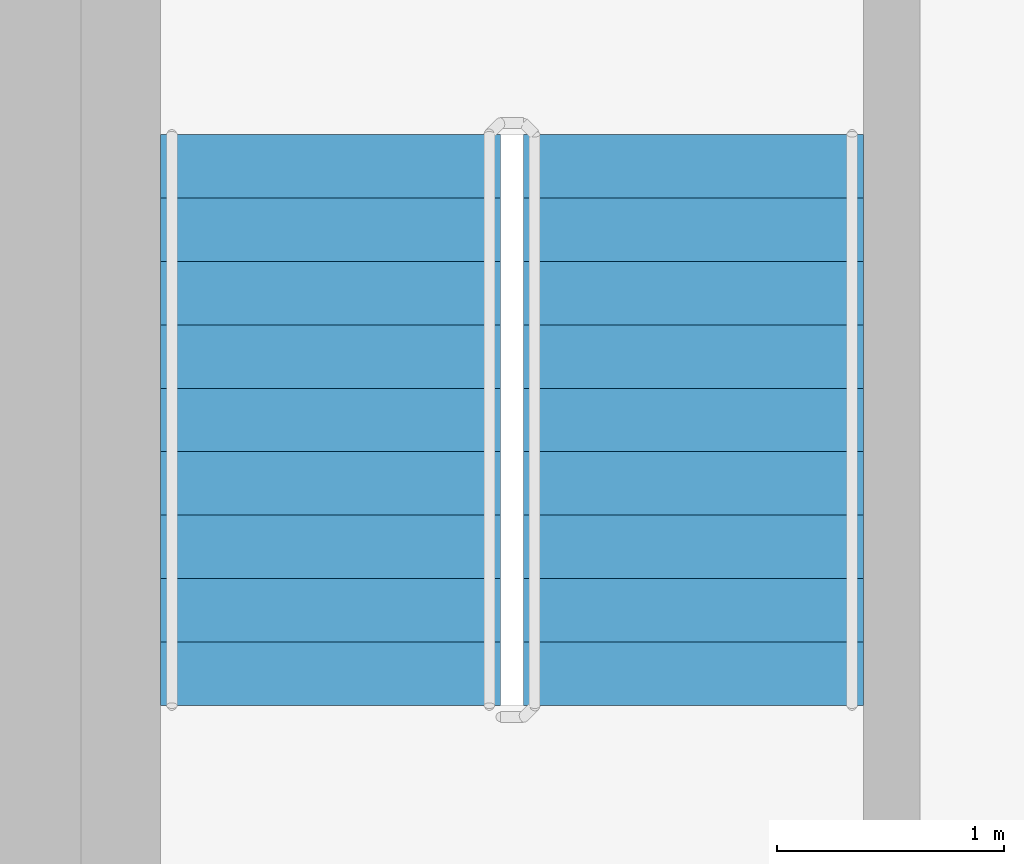
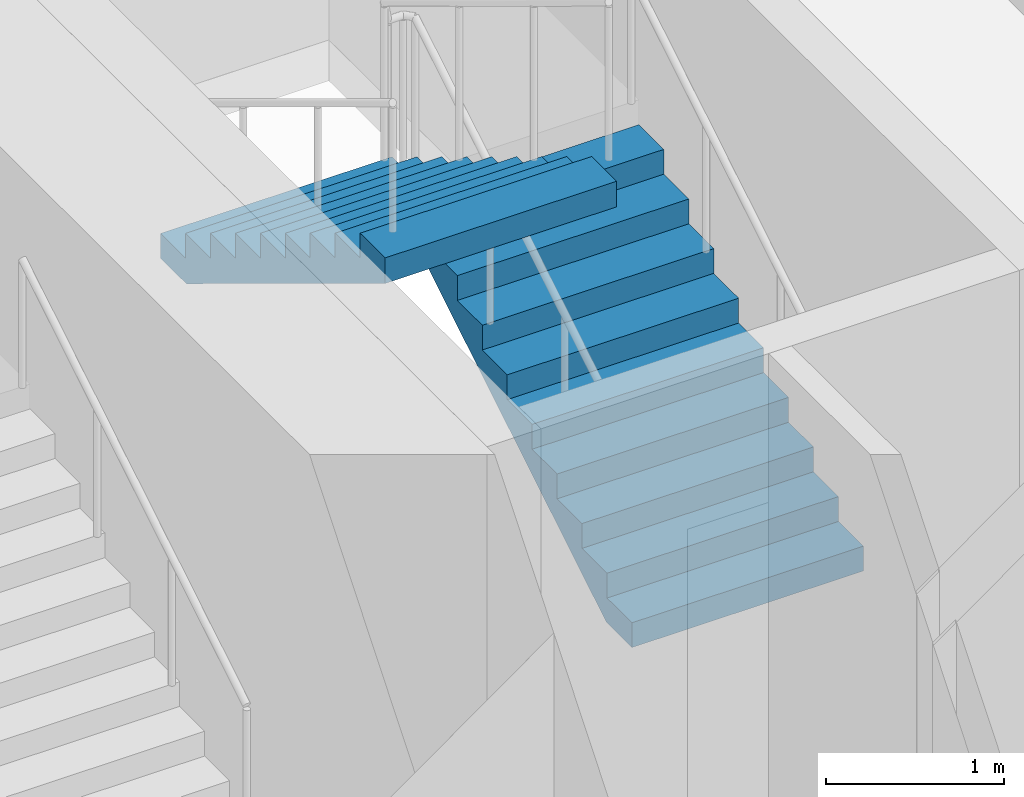
# One storey, part 13 of 20: 2 stair flights, 1 element without a shape of its own.
"""IFC4 building model written with IfcOpenShell, lengths in metres."""

from ifc_helpers import new_model, si_unit, direction, frame, origin, place, context, subcontext, project, spatial, triangles, source, transform, mapped, material, type_object, element, aggregate, save


model = new_model("IFC4")

# Units and contexts
model_context = context("Model", 3, precision=1e-05, world=origin(), true_north=direction((0.0, 1.0)))
body_context = subcontext(model_context, "Body", "Model", "MODEL_VIEW")
ifc_project = project(units=[si_unit("LENGTHUNIT", "METRE"), si_unit("AREAUNIT", "SQUARE_METRE"), si_unit("VOLUMEUNIT", "CUBIC_METRE"), si_unit("PLANEANGLEUNIT", "RADIAN"), si_unit("MASSUNIT", "GRAM", prefix="KILO")], contexts=[model_context])

# Site, building, storey
site_placement = place(None, origin())
site = spatial("IfcSite", under=ifc_project, at=site_placement, CompositionType="ELEMENT")
building_placement = place(site_placement, origin())
building = spatial("IfcBuilding", under=site, at=building_placement, Name="Kilnfold Tower and Market Hall", CompositionType="ELEMENT")
storey_placement = place(building_placement, frame((0.0, 0.0, 157.5)))
storey = spatial("IfcBuildingStorey", under=building, at=storey_placement, Name="L36", CompositionType="ELEMENT", Elevation=157.5)

# Stair, stair flights
ifc_material_1 = material(Name="Concrete C40/50", Category="concrete")
stair_type = type_object("IfcStairType", Name="CORE STAIR 1500", PredefinedType="HALF_TURN_STAIR", material=ifc_material_1)
stair_placement = place(storey_placement, origin())
stair = element("IfcStair", 1, at=stair_placement, inside=storey, type_object=stair_type, Name="L36 ST5", PredefinedType="HALF_TURN_STAIR")
ifc_material_2 = material(Name="Concrete C40/50", Category="concrete")
stair_flight_type = type_object("IfcStairFlightType", Name="CORE STAIR FLIGHT 1500", PredefinedType="STRAIGHT", material=ifc_material_2)
shared_shape = source(origin(), body_context, "Body", "Tessellation", [
    triangles([(0.0, 0.75, 0.0), (0.0, 0.65625, 0.0), (0.0, 0.5625, 0.0), (0.0, 0.46875, 0.0), (0.0, 0.375, 0.0), (0.0, 0.28125, 0.0), (0.0, 0.1875, 0.0), (0.0, 0.09375, 0.0), (0.0, 0.0, 0.0), (0.0, -0.09375, 0.0), (0.0, -0.1875, 0.0), (0.0, -0.28125, 0.0), (0.0, -0.375, 0.0), (0.0, -0.46875, 0.0), (0.0, -0.5625, 0.0), (0.0, -0.65625, 0.0), (0.0, -0.75, 0.0), (0.0, 0.75, 0.169921875), (0.0, 0.65625, 0.169921875), (0.0, 0.5625, 0.169921875), (0.0, 0.46875, 0.169921875), (0.0, 0.375, 0.169921875), (0.0, 0.28125, 0.169921875), (0.0, 0.1875, 0.169921875), (0.0, 0.09375, 0.169921875), (0.0, 0.0, 0.169921875), (0.0, -0.09375, 0.169921875), (0.0, -0.1875, 0.169921875), (0.0, -0.28125, 0.169921875), (0.0, -0.375, 0.169921875), (0.0, -0.46875, 0.169921875), (0.0, -0.5625, 0.169921875), (0.0, -0.65625, 0.169921875), (0.0, -0.75, 0.169921875), (0.280029296875, 0.75, 0.169921875), (0.280029296875, 0.65625, 0.169921875), (0.280029296875, 0.5625, 0.169921875), (0.280029296875, 0.46875, 0.169921875), (0.280029296875, 0.375, 0.169921875), (0.280029296875, 0.28125, 0.169921875), (0.280029296875, 0.1875, 0.169921875), (0.280029296875, 0.09375, 0.169921875), (0.280029296875, 0.0, 0.169921875), (0.280029296875, -0.09375, 0.169921875), (0.280029296875, -0.1875, 0.169921875), (0.280029296875, -0.28125, 0.169921875), (0.280029296875, -0.375, 0.169921875), (0.280029296875, -0.46875, 0.169921875), (0.280029296875, -0.5625, 0.169921875), (0.280029296875, -0.65625, 0.169921875), (0.280029296875, -0.75, 0.169921875), (0.280029296875, 0.75, 0.340087890625), (0.280029296875, 0.65625, 0.340087890625), (0.280029296875, 0.5625, 0.340087890625), (0.280029296875, 0.46875, 0.340087890625), (0.280029296875, 0.375, 0.340087890625), (0.280029296875, 0.28125, 0.340087890625), (0.280029296875, 0.1875, 0.340087890625), (0.280029296875, 0.09375, 0.340087890625), (0.280029296875, 0.0, 0.340087890625), (0.280029296875, -0.09375, 0.340087890625), (0.280029296875, -0.1875, 0.340087890625), (0.280029296875, -0.28125, 0.340087890625), (0.280029296875, -0.375, 0.340087890625), (0.280029296875, -0.46875, 0.340087890625), (0.280029296875, -0.5625, 0.340087890625), (0.280029296875, -0.65625, 0.340087890625), (0.280029296875, -0.75, 0.340087890625), (0.56005859375, 0.75, 0.340087890625), (0.56005859375, 0.65625, 0.340087890625), (0.56005859375, 0.5625, 0.340087890625), (0.56005859375, 0.46875, 0.340087890625), (0.56005859375, 0.375, 0.340087890625), (0.56005859375, 0.28125, 0.340087890625), (0.56005859375, 0.1875, 0.340087890625), (0.56005859375, 0.09375, 0.340087890625), (0.56005859375, 0.0, 0.340087890625), (0.56005859375, -0.09375, 0.340087890625), (0.56005859375, -0.1875, 0.340087890625), (0.56005859375, -0.28125, 0.340087890625), (0.56005859375, -0.375, 0.340087890625), (0.56005859375, -0.46875, 0.340087890625), (0.56005859375, -0.5625, 0.340087890625), (0.56005859375, -0.65625, 0.340087890625), (0.56005859375, -0.75, 0.340087890625), (0.56005859375, 0.75, 0.510009765625), (0.56005859375, 0.65625, 0.510009765625), (0.56005859375, 0.5625, 0.510009765625), (0.56005859375, 0.46875, 0.510009765625), (0.56005859375, 0.375, 0.510009765625), (0.56005859375, 0.28125, 0.510009765625), (0.56005859375, 0.1875, 0.510009765625), (0.56005859375, 0.09375, 0.510009765625), (0.56005859375, 0.0, 0.510009765625), (0.56005859375, -0.09375, 0.510009765625), (0.56005859375, -0.1875, 0.510009765625), (0.56005859375, -0.28125, 0.510009765625), (0.56005859375, -0.375, 0.510009765625), (0.56005859375, -0.46875, 0.510009765625), (0.56005859375, -0.5625, 0.510009765625), (0.56005859375, -0.65625, 0.510009765625), (0.56005859375, -0.75, 0.510009765625), (0.840087890625, 0.75, 0.510009765625), (0.840087890625, 0.65625, 0.510009765625), (0.840087890625, 0.5625, 0.510009765625), (0.840087890625, 0.46875, 0.510009765625), (0.840087890625, 0.375, 0.510009765625), (0.840087890625, 0.28125, 0.510009765625), (0.840087890625, 0.1875, 0.510009765625), (0.840087890625, 0.09375, 0.510009765625), (0.840087890625, 0.0, 0.510009765625), (0.840087890625, -0.09375, 0.510009765625), (0.840087890625, -0.1875, 0.510009765625), (0.840087890625, -0.28125, 0.510009765625), (0.840087890625, -0.375, 0.510009765625), (0.840087890625, -0.46875, 0.510009765625), (0.840087890625, -0.5625, 0.510009765625), (0.840087890625, -0.65625, 0.510009765625), (0.840087890625, -0.75, 0.510009765625), (0.840087890625, 0.75, 0.679931640625), (0.840087890625, 0.65625, 0.679931640625), (0.840087890625, 0.5625, 0.679931640625), (0.840087890625, 0.46875, 0.679931640625), (0.840087890625, 0.375, 0.679931640625), (0.840087890625, 0.28125, 0.679931640625), (0.840087890625, 0.1875, 0.679931640625), (0.840087890625, 0.09375, 0.679931640625), (0.840087890625, 0.0, 0.679931640625), (0.840087890625, -0.09375, 0.679931640625), (0.840087890625, -0.1875, 0.679931640625), (0.840087890625, -0.28125, 0.679931640625), (0.840087890625, -0.375, 0.679931640625), (0.840087890625, -0.46875, 0.679931640625), (0.840087890625, -0.5625, 0.679931640625), (0.840087890625, -0.65625, 0.679931640625), (0.840087890625, -0.75, 0.679931640625), (1.1201171875, 0.75, 0.679931640625), (1.1201171875, 0.65625, 0.679931640625), (1.1201171875, 0.5625, 0.679931640625), (1.1201171875, 0.46875, 0.679931640625), (1.1201171875, 0.375, 0.679931640625), (1.1201171875, 0.28125, 0.679931640625), (1.1201171875, 0.1875, 0.679931640625), (1.1201171875, 0.09375, 0.679931640625), (1.1201171875, 0.0, 0.679931640625), (1.1201171875, -0.09375, 0.679931640625), (1.1201171875, -0.1875, 0.679931640625), (1.1201171875, -0.28125, 0.679931640625), (1.1201171875, -0.375, 0.679931640625), (1.1201171875, -0.46875, 0.679931640625), (1.1201171875, -0.5625, 0.679931640625), (1.1201171875, -0.65625, 0.679931640625), (1.1201171875, -0.75, 0.679931640625), (1.1201171875, 0.75, 0.85009765625), (1.1201171875, 0.65625, 0.85009765625), (1.1201171875, 0.5625, 0.85009765625), (1.1201171875, 0.46875, 0.85009765625), (1.1201171875, 0.375, 0.85009765625), (1.1201171875, 0.28125, 0.85009765625), (1.1201171875, 0.1875, 0.85009765625), (1.1201171875, 0.09375, 0.85009765625), (1.1201171875, 0.0, 0.85009765625), (1.1201171875, -0.09375, 0.85009765625), (1.1201171875, -0.1875, 0.85009765625), (1.1201171875, -0.28125, 0.85009765625), (1.1201171875, -0.375, 0.85009765625), (1.1201171875, -0.46875, 0.85009765625), (1.1201171875, -0.5625, 0.85009765625), (1.1201171875, -0.65625, 0.85009765625), (1.1201171875, -0.75, 0.85009765625), (1.39990234375, 0.75, 0.85009765625), (1.39990234375, 0.65625, 0.85009765625), (1.39990234375, 0.5625, 0.85009765625), (1.39990234375, 0.46875, 0.85009765625), (1.39990234375, 0.375, 0.85009765625), (1.39990234375, 0.28125, 0.85009765625), (1.39990234375, 0.1875, 0.85009765625), (1.39990234375, 0.09375, 0.85009765625), (1.39990234375, 0.0, 0.85009765625), (1.39990234375, -0.09375, 0.85009765625), (1.39990234375, -0.1875, 0.85009765625), (1.39990234375, -0.28125, 0.85009765625), (1.39990234375, -0.375, 0.85009765625), (1.39990234375, -0.46875, 0.85009765625), (1.39990234375, -0.5625, 0.85009765625), (1.39990234375, -0.65625, 0.85009765625), (1.39990234375, -0.75, 0.85009765625), (1.39990234375, 0.75, 1.02001953125), (1.39990234375, 0.65625, 1.02001953125), (1.39990234375, 0.5625, 1.02001953125), (1.39990234375, 0.46875, 1.02001953125), (1.39990234375, 0.375, 1.02001953125), (1.39990234375, 0.28125, 1.02001953125), (1.39990234375, 0.1875, 1.02001953125), (1.39990234375, 0.09375, 1.02001953125), (1.39990234375, 0.0, 1.02001953125), (1.39990234375, -0.09375, 1.02001953125), (1.39990234375, -0.1875, 1.02001953125), (1.39990234375, -0.28125, 1.02001953125), (1.39990234375, -0.375, 1.02001953125), (1.39990234375, -0.46875, 1.02001953125), (1.39990234375, -0.5625, 1.02001953125), (1.39990234375, -0.65625, 1.02001953125), (1.39990234375, -0.75, 1.02001953125), (1.679931640625, 0.75, 1.02001953125), (1.679931640625, 0.65625, 1.02001953125), (1.679931640625, 0.5625, 1.02001953125), (1.679931640625, 0.46875, 1.02001953125), (1.679931640625, 0.375, 1.02001953125), (1.679931640625, 0.28125, 1.02001953125), (1.679931640625, 0.1875, 1.02001953125), (1.679931640625, 0.09375, 1.02001953125), (1.679931640625, 0.0, 1.02001953125), (1.679931640625, -0.09375, 1.02001953125), (1.679931640625, -0.1875, 1.02001953125), (1.679931640625, -0.28125, 1.02001953125), (1.679931640625, -0.375, 1.02001953125), (1.679931640625, -0.46875, 1.02001953125), (1.679931640625, -0.5625, 1.02001953125), (1.679931640625, -0.65625, 1.02001953125), (1.679931640625, -0.75, 1.02001953125), (1.679931640625, 0.75, 1.18994140625), (1.679931640625, 0.65625, 1.18994140625), (1.679931640625, 0.5625, 1.18994140625), (1.679931640625, 0.46875, 1.18994140625), (1.679931640625, 0.375, 1.18994140625), (1.679931640625, 0.28125, 1.18994140625), (1.679931640625, 0.1875, 1.18994140625), (1.679931640625, 0.09375, 1.18994140625), (1.679931640625, 0.0, 1.18994140625), (1.679931640625, -0.09375, 1.18994140625), (1.679931640625, -0.1875, 1.18994140625), (1.679931640625, -0.28125, 1.18994140625), (1.679931640625, -0.375, 1.18994140625), (1.679931640625, -0.46875, 1.18994140625), (1.679931640625, -0.5625, 1.18994140625), (1.679931640625, -0.65625, 1.18994140625), (1.679931640625, -0.75, 1.18994140625), (1.9599609375, 0.75, 1.18994140625), (1.9599609375, 0.65625, 1.18994140625), (1.9599609375, 0.5625, 1.18994140625), (1.9599609375, 0.46875, 1.18994140625), (1.9599609375, 0.375, 1.18994140625), (1.9599609375, 0.28125, 1.18994140625), (1.9599609375, 0.1875, 1.18994140625), (1.9599609375, 0.09375, 1.18994140625), (1.9599609375, 0.0, 1.18994140625), (1.9599609375, -0.09375, 1.18994140625), (1.9599609375, -0.1875, 1.18994140625), (1.9599609375, -0.28125, 1.18994140625), (1.9599609375, -0.375, 1.18994140625), (1.9599609375, -0.46875, 1.18994140625), (1.9599609375, -0.5625, 1.18994140625), (1.9599609375, -0.65625, 1.18994140625), (1.9599609375, -0.75, 1.18994140625), (1.9599609375, 0.75, 1.360107421875), (1.9599609375, 0.65625, 1.360107421875), (1.9599609375, 0.5625, 1.360107421875), (1.9599609375, 0.46875, 1.360107421875), (1.9599609375, 0.375, 1.360107421875), (1.9599609375, 0.28125, 1.360107421875), (1.9599609375, 0.1875, 1.360107421875), (1.9599609375, 0.09375, 1.360107421875), (1.9599609375, 0.0, 1.360107421875), (1.9599609375, -0.09375, 1.360107421875), (1.9599609375, -0.1875, 1.360107421875), (1.9599609375, -0.28125, 1.360107421875), (1.9599609375, -0.375, 1.360107421875), (1.9599609375, -0.46875, 1.360107421875), (1.9599609375, -0.5625, 1.360107421875), (1.9599609375, -0.65625, 1.360107421875), (1.9599609375, -0.75, 1.360107421875), (2.239990234375, 0.75, 1.360107421875), (2.239990234375, 0.65625, 1.360107421875), (2.239990234375, 0.5625, 1.360107421875), (2.239990234375, 0.46875, 1.360107421875), (2.239990234375, 0.375, 1.360107421875), (2.239990234375, 0.28125, 1.360107421875), (2.239990234375, 0.1875, 1.360107421875), (2.239990234375, 0.09375, 1.360107421875), (2.239990234375, 0.0, 1.360107421875), (2.239990234375, -0.09375, 1.360107421875), (2.239990234375, -0.1875, 1.360107421875), (2.239990234375, -0.28125, 1.360107421875), (2.239990234375, -0.375, 1.360107421875), (2.239990234375, -0.46875, 1.360107421875), (2.239990234375, -0.5625, 1.360107421875), (2.239990234375, -0.65625, 1.360107421875), (2.239990234375, -0.75, 1.360107421875), (2.239990234375, 0.75, 1.530029296875), (2.239990234375, 0.65625, 1.530029296875), (2.239990234375, 0.5625, 1.530029296875), (2.239990234375, 0.46875, 1.530029296875), (2.239990234375, 0.375, 1.530029296875), (2.239990234375, 0.28125, 1.530029296875), (2.239990234375, 0.1875, 1.530029296875), (2.239990234375, 0.09375, 1.530029296875), (2.239990234375, 0.0, 1.530029296875), (2.239990234375, -0.09375, 1.530029296875), (2.239990234375, -0.1875, 1.530029296875), (2.239990234375, -0.28125, 1.530029296875), (2.239990234375, -0.375, 1.530029296875), (2.239990234375, -0.46875, 1.530029296875), (2.239990234375, -0.5625, 1.530029296875), (2.239990234375, -0.65625, 1.530029296875), (2.239990234375, -0.75, 1.530029296875), (2.52001953125, 0.75, 1.530029296875), (2.52001953125, 0.65625, 1.530029296875), (2.52001953125, 0.5625, 1.530029296875), (2.52001953125, 0.46875, 1.530029296875), (2.52001953125, 0.375, 1.530029296875), (2.52001953125, 0.28125, 1.530029296875), (2.52001953125, 0.1875, 1.530029296875), (2.52001953125, 0.09375, 1.530029296875), (2.52001953125, 0.0, 1.530029296875), (2.52001953125, -0.09375, 1.530029296875), (2.52001953125, -0.1875, 1.530029296875), (2.52001953125, -0.28125, 1.530029296875), (2.52001953125, -0.375, 1.530029296875), (2.52001953125, -0.46875, 1.530029296875), (2.52001953125, -0.5625, 1.530029296875), (2.52001953125, -0.65625, 1.530029296875), (2.52001953125, -0.75, 1.530029296875), (2.52001953125, 0.75, 1.354736328125), (2.52001953125, 0.65625, 1.354736328125), (2.52001953125, 0.5625, 1.354736328125), (2.52001953125, 0.46875, 1.354736328125), (2.52001953125, 0.375, 1.354736328125), (2.52001953125, 0.28125, 1.354736328125), (2.52001953125, 0.1875, 1.354736328125), (2.52001953125, 0.09375, 1.354736328125), (2.52001953125, 0.0, 1.354736328125), (2.52001953125, -0.09375, 1.354736328125), (2.52001953125, -0.1875, 1.354736328125), (2.52001953125, -0.28125, 1.354736328125), (2.52001953125, -0.375, 1.354736328125), (2.52001953125, -0.46875, 1.354736328125), (2.52001953125, -0.5625, 1.354736328125), (2.52001953125, -0.65625, 1.354736328125), (2.52001953125, -0.75, 1.354736328125), (0.288818359375, 0.75, 0.0), (0.288818359375, 0.65625, 0.0), (0.288818359375, 0.5625, 0.0), (0.288818359375, 0.46875, 0.0), (0.288818359375, 0.375, 0.0), (0.288818359375, 0.28125, 0.0), (0.288818359375, 0.1875, 0.0), (0.288818359375, 0.09375, 0.0), (0.288818359375, 0.0, 0.0), (0.288818359375, -0.09375, 0.0), (0.288818359375, -0.1875, 0.0), (0.288818359375, -0.28125, 0.0), (0.288818359375, -0.375, 0.0), (0.288818359375, -0.46875, 0.0), (0.288818359375, -0.5625, 0.0), (0.288818359375, -0.65625, 0.0), (0.288818359375, -0.75, 0.0)], [[1, 324, 341], [17, 357, 340], [324, 290, 307], [340, 323, 306], [324, 273, 290], [340, 306, 289], [324, 256, 273], [340, 289, 272], [324, 239, 256], [340, 272, 255], [239, 205, 222], [255, 238, 221], [324, 205, 239], [340, 255, 221], [205, 171, 188], [221, 204, 187], [324, 171, 205], [340, 221, 187], [171, 137, 154], [187, 170, 153], [324, 137, 171], [340, 187, 153], [137, 103, 120], [153, 136, 119], [324, 103, 137], [340, 153, 119], [103, 69, 86], [119, 102, 85], [324, 69, 103], [340, 119, 85], [69, 35, 52], [85, 68, 51], [324, 35, 69], [340, 85, 51], [1, 35, 324], [17, 340, 51], [35, 1, 18], [51, 34, 17], [1, 19, 18], [1, 2, 19], [2, 20, 19], [2, 3, 20], [3, 21, 20], [3, 4, 21], [4, 22, 21], [4, 5, 22], [5, 23, 22], [5, 6, 23], [6, 24, 23], [6, 7, 24], [7, 25, 24], [7, 8, 25], [8, 26, 25], [8, 9, 26], [9, 27, 26], [9, 10, 27], [10, 28, 27], [10, 11, 28], [11, 29, 28], [11, 12, 29], [12, 30, 29], [12, 13, 30], [13, 31, 30], [13, 14, 31], [14, 32, 31], [14, 15, 32], [15, 33, 32], [15, 16, 33], [16, 34, 33], [16, 17, 34], [18, 36, 35], [18, 19, 36], [19, 37, 36], [19, 20, 37], [20, 38, 37], [20, 21, 38], [21, 39, 38], [21, 22, 39], [22, 40, 39], [22, 23, 40], [23, 41, 40], [23, 24, 41], [24, 42, 41], [24, 25, 42], [25, 43, 42], [25, 26, 43], [26, 44, 43], [26, 27, 44], [27, 45, 44], [27, 28, 45], [28, 46, 45], [28, 29, 46], [29, 47, 46], [29, 30, 47], [30, 48, 47], [30, 31, 48], [31, 49, 48], [31, 32, 49], [32, 50, 49], [32, 33, 50], [33, 51, 50], [33, 34, 51], [35, 53, 52], [35, 36, 53], [36, 54, 53], [36, 37, 54], [37, 55, 54], [37, 38, 55], [38, 56, 55], [38, 39, 56], [39, 57, 56], [39, 40, 57], [40, 58, 57], [40, 41, 58], [41, 59, 58], [41, 42, 59], [42, 60, 59], [42, 43, 60], [43, 61, 60], [43, 44, 61], [44, 62, 61], [44, 45, 62], [45, 63, 62], [45, 46, 63], [46, 64, 63], [46, 47, 64], [47, 65, 64], [47, 48, 65], [48, 66, 65], [48, 49, 66], [49, 67, 66], [49, 50, 67], [50, 68, 67], [50, 51, 68], [52, 70, 69], [52, 53, 70], [53, 71, 70], [53, 54, 71], [54, 72, 71], [54, 55, 72], [55, 73, 72], [55, 56, 73], [56, 74, 73], [56, 57, 74], [57, 75, 74], [57, 58, 75], [58, 76, 75], [58, 59, 76], [59, 77, 76], [59, 60, 77], [60, 78, 77], [60, 61, 78], [61, 79, 78], [61, 62, 79], [62, 80, 79], [62, 63, 80], [63, 81, 80], [63, 64, 81], [64, 82, 81], [64, 65, 82], [65, 83, 82], [65, 66, 83], [66, 84, 83], [66, 67, 84], [67, 85, 84], [67, 68, 85], [69, 87, 86], [69, 70, 87], [70, 88, 87], [70, 71, 88], [71, 89, 88], [71, 72, 89], [72, 90, 89], [72, 73, 90], [73, 91, 90], [73, 74, 91], [74, 92, 91], [74, 75, 92], [75, 93, 92], [75, 76, 93], [76, 94, 93], [76, 77, 94], [77, 95, 94], [77, 78, 95], [78, 96, 95], [78, 79, 96], [79, 97, 96], [79, 80, 97], [80, 98, 97], [80, 81, 98], [81, 99, 98], [81, 82, 99], [82, 100, 99], [82, 83, 100], [83, 101, 100], [83, 84, 101], [84, 102, 101], [84, 85, 102], [86, 104, 103], [86, 87, 104], [87, 105, 104], [87, 88, 105], [88, 106, 105], [88, 89, 106], [89, 107, 106], [89, 90, 107], [90, 108, 107], [90, 91, 108], [91, 109, 108], [91, 92, 109], [92, 110, 109], [92, 93, 110], [93, 111, 110], [93, 94, 111], [94, 112, 111], [94, 95, 112], [95, 113, 112], [95, 96, 113], [96, 114, 113], [96, 97, 114], [97, 115, 114], [97, 98, 115], [98, 116, 115], [98, 99, 116], [99, 117, 116], [99, 100, 117], [100, 118, 117], [100, 101, 118], [101, 119, 118], [101, 102, 119], [103, 121, 120], [103, 104, 121], [104, 122, 121], [104, 105, 122], [105, 123, 122], [105, 106, 123], [106, 124, 123], [106, 107, 124], [107, 125, 124], [107, 108, 125], [108, 126, 125], [108, 109, 126], [109, 127, 126], [109, 110, 127], [110, 128, 127], [110, 111, 128], [111, 129, 128], [111, 112, 129], [112, 130, 129], [112, 113, 130], [113, 131, 130], [113, 114, 131], [114, 132, 131], [114, 115, 132], [115, 133, 132], [115, 116, 133], [116, 134, 133], [116, 117, 134], [117, 135, 134], [117, 118, 135], [118, 136, 135], [118, 119, 136], [120, 138, 137], [120, 121, 138], [121, 139, 138], [121, 122, 139], [122, 140, 139], [122, 123, 140], [123, 141, 140], [123, 124, 141], [124, 142, 141], [124, 125, 142], [125, 143, 142], [125, 126, 143], [126, 144, 143], [126, 127, 144], [127, 145, 144], [127, 128, 145], [128, 146, 145], [128, 129, 146], [129, 147, 146], [129, 130, 147], [130, 148, 147], [130, 131, 148], [131, 149, 148], [131, 132, 149], [132, 150, 149], [132, 133, 150], [133, 151, 150], [133, 134, 151], [134, 152, 151], [134, 135, 152], [135, 153, 152], [135, 136, 153], [137, 155, 154], [137, 138, 155], [138, 156, 155], [138, 139, 156], [139, 157, 156], [139, 140, 157], [140, 158, 157], [140, 141, 158], [141, 159, 158], [141, 142, 159], [142, 160, 159], [142, 143, 160], [143, 161, 160], [143, 144, 161], [144, 162, 161], [144, 145, 162], [145, 163, 162], [145, 146, 163], [146, 164, 163], [146, 147, 164], [147, 165, 164], [147, 148, 165], [148, 166, 165], [148, 149, 166], [149, 167, 166], [149, 150, 167], [150, 168, 167], [150, 151, 168], [151, 169, 168], [151, 152, 169], [152, 170, 169], [152, 153, 170], [154, 172, 171], [154, 155, 172], [155, 173, 172], [155, 156, 173], [156, 174, 173], [156, 157, 174], [157, 175, 174], [157, 158, 175], [158, 176, 175], [158, 159, 176], [159, 177, 176], [159, 160, 177], [160, 178, 177], [160, 161, 178], [161, 179, 178], [161, 162, 179], [162, 180, 179], [162, 163, 180], [163, 181, 180], [163, 164, 181], [164, 182, 181], [164, 165, 182], [165, 183, 182], [165, 166, 183], [166, 184, 183], [166, 167, 184], [167, 185, 184], [167, 168, 185], [168, 186, 185], [168, 169, 186], [169, 187, 186], [169, 170, 187], [171, 189, 188], [171, 172, 189], [172, 190, 189], [172, 173, 190], [173, 191, 190], [173, 174, 191], [174, 192, 191], [174, 175, 192], [175, 193, 192], [175, 176, 193], [176, 194, 193], [176, 177, 194], [177, 195, 194], [177, 178, 195], [178, 196, 195], [178, 179, 196], [179, 197, 196], [179, 180, 197], [180, 198, 197], [180, 181, 198], [181, 199, 198], [181, 182, 199], [182, 200, 199], [182, 183, 200], [183, 201, 200], [183, 184, 201], [184, 202, 201], [184, 185, 202], [185, 203, 202], [185, 186, 203], [186, 204, 203], [186, 187, 204], [188, 206, 205], [188, 189, 206], [189, 207, 206], [189, 190, 207], [190, 208, 207], [190, 191, 208], [191, 209, 208], [191, 192, 209], [192, 210, 209], [192, 193, 210], [193, 211, 210], [193, 194, 211], [194, 212, 211], [194, 195, 212], [195, 213, 212], [195, 196, 213], [196, 214, 213], [196, 197, 214], [197, 215, 214], [197, 198, 215], [198, 216, 215], [198, 199, 216], [199, 217, 216], [199, 200, 217], [200, 218, 217], [200, 201, 218], [201, 219, 218], [201, 202, 219], [202, 220, 219], [202, 203, 220], [203, 221, 220], [203, 204, 221], [205, 223, 222], [205, 206, 223], [206, 224, 223], [206, 207, 224], [207, 225, 224], [207, 208, 225], [208, 226, 225], [208, 209, 226], [209, 227, 226], [209, 210, 227], [210, 228, 227], [210, 211, 228], [211, 229, 228], [211, 212, 229], [212, 230, 229], [212, 213, 230], [213, 231, 230], [213, 214, 231], [214, 232, 231], [214, 215, 232], [215, 233, 232], [215, 216, 233], [216, 234, 233], [216, 217, 234], [217, 235, 234], [217, 218, 235], [218, 236, 235], [218, 219, 236], [219, 237, 236], [219, 220, 237], [220, 238, 237], [220, 221, 238], [222, 240, 239], [222, 223, 240], [223, 241, 240], [223, 224, 241], [224, 242, 241], [224, 225, 242], [225, 243, 242], [225, 226, 243], [226, 244, 243], [226, 227, 244], [227, 245, 244], [227, 228, 245], [228, 246, 245], [228, 229, 246], [229, 247, 246], [229, 230, 247], [230, 248, 247], [230, 231, 248], [231, 249, 248], [231, 232, 249], [232, 250, 249], [232, 233, 250], [233, 251, 250], [233, 234, 251], [234, 252, 251], [234, 235, 252], [235, 253, 252], [235, 236, 253], [236, 254, 253], [236, 237, 254], [237, 255, 254], [237, 238, 255], [239, 257, 256], [239, 240, 257], [240, 258, 257], [240, 241, 258], [241, 259, 258], [241, 242, 259], [242, 260, 259], [242, 243, 260], [243, 261, 260], [243, 244, 261], [244, 262, 261], [244, 245, 262], [245, 263, 262], [245, 246, 263], [246, 264, 263], [246, 247, 264], [247, 265, 264], [247, 248, 265], [248, 266, 265], [248, 249, 266], [249, 267, 266], [249, 250, 267], [250, 268, 267], [250, 251, 268], [251, 269, 268], [251, 252, 269], [252, 270, 269], [252, 253, 270], [253, 271, 270], [253, 254, 271], [254, 272, 271], [254, 255, 272], [256, 274, 273], [256, 257, 274], [257, 275, 274], [257, 258, 275], [258, 276, 275], [258, 259, 276], [259, 277, 276], [259, 260, 277], [260, 278, 277], [260, 261, 278], [261, 279, 278], [261, 262, 279], [262, 280, 279], [262, 263, 280], [263, 281, 280], [263, 264, 281], [264, 282, 281], [264, 265, 282], [265, 283, 282], [265, 266, 283], [266, 284, 283], [266, 267, 284], [267, 285, 284], [267, 268, 285], [268, 286, 285], [268, 269, 286], [269, 287, 286], [269, 270, 287], [270, 288, 287], [270, 271, 288], [271, 289, 288], [271, 272, 289], [273, 291, 290], [273, 274, 291], [274, 292, 291], [274, 275, 292], [275, 293, 292], [275, 276, 293], [276, 294, 293], [276, 277, 294], [277, 295, 294], [277, 278, 295], [278, 296, 295], [278, 279, 296], [279, 297, 296], [279, 280, 297], [280, 298, 297], [280, 281, 298], [281, 299, 298], [281, 282, 299], [282, 300, 299], [282, 283, 300], [283, 301, 300], [283, 284, 301], [284, 302, 301], [284, 285, 302], [285, 303, 302], [285, 286, 303], [286, 304, 303], [286, 287, 304], [287, 305, 304], [287, 288, 305], [288, 306, 305], [288, 289, 306], [290, 308, 307], [290, 291, 308], [291, 309, 308], [291, 292, 309], [292, 310, 309], [292, 293, 310], [293, 311, 310], [293, 294, 311], [294, 312, 311], [294, 295, 312], [295, 313, 312], [295, 296, 313], [296, 314, 313], [296, 297, 314], [297, 315, 314], [297, 298, 315], [298, 316, 315], [298, 299, 316], [299, 317, 316], [299, 300, 317], [300, 318, 317], [300, 301, 318], [301, 319, 318], [301, 302, 319], [302, 320, 319], [302, 303, 320], [303, 321, 320], [303, 304, 321], [304, 322, 321], [304, 305, 322], [305, 323, 322], [305, 306, 323], [307, 325, 324], [307, 308, 325], [308, 326, 325], [308, 309, 326], [309, 327, 326], [309, 310, 327], [310, 328, 327], [310, 311, 328], [311, 329, 328], [311, 312, 329], [312, 330, 329], [312, 313, 330], [313, 331, 330], [313, 314, 331], [314, 332, 331], [314, 315, 332], [315, 333, 332], [315, 316, 333], [316, 334, 333], [316, 317, 334], [317, 335, 334], [317, 318, 335], [318, 336, 335], [318, 319, 336], [319, 337, 336], [319, 320, 337], [320, 338, 337], [320, 321, 338], [321, 339, 338], [321, 322, 339], [322, 340, 339], [322, 323, 340], [324, 342, 341], [324, 325, 342], [325, 343, 342], [325, 326, 343], [326, 344, 343], [326, 327, 344], [327, 345, 344], [327, 328, 345], [328, 346, 345], [328, 329, 346], [329, 347, 346], [329, 330, 347], [330, 348, 347], [330, 331, 348], [331, 349, 348], [331, 332, 349], [332, 350, 349], [332, 333, 350], [333, 351, 350], [333, 334, 351], [334, 352, 351], [334, 335, 352], [335, 353, 352], [335, 336, 353], [336, 354, 353], [336, 337, 354], [337, 355, 354], [337, 338, 355], [338, 356, 355], [338, 339, 356], [339, 357, 356], [339, 340, 357], [341, 2, 1], [341, 342, 2], [342, 3, 2], [342, 343, 3], [343, 4, 3], [343, 344, 4], [344, 5, 4], [344, 345, 5], [345, 6, 5], [345, 346, 6], [346, 7, 6], [346, 347, 7], [347, 8, 7], [347, 348, 8], [348, 9, 8], [348, 349, 9], [349, 10, 9], [349, 350, 10], [350, 11, 10], [350, 351, 11], [351, 12, 11], [351, 352, 12], [352, 13, 12], [352, 353, 13], [353, 14, 13], [353, 354, 14], [354, 15, 14], [354, 355, 15], [355, 16, 15], [355, 356, 16], [356, 17, 16], [356, 357, 17]], closed=True),
])
stair_flight_1_placement = place(storey_placement, frame((20.699951171875, 11.5, 0.0), z_axis=(0.0, 0.0, 1.0), x_axis=(0.0, 1.0, 0.0)))
stair_flight_1 = element("IfcStairFlight", 2, at=stair_flight_1_placement, type_object=stair_flight_type, Name="ST5 flight 1", NumberOfRisers=10, NumberOfTreads=9, PredefinedType="STRAIGHT", RiserHeight=0.17, TreadLength=0.28, context=body_context, shape_type="MappedRepresentation", body=[
    mapped(shared_shape, transform((0.0, 0.0, 0.0))),
])
stair_flight_2_placement = place(storey_placement, frame((19.10009765625, 14.02001953125, 1.699951171875), z_axis=(0.0, 0.0, 1.0), x_axis=(0.0, -1.0, 0.0)))
stair_flight_2 = element("IfcStairFlight", 3, at=stair_flight_2_placement, type_object=stair_flight_type, Name="ST5 flight 2", NumberOfRisers=10, NumberOfTreads=9, PredefinedType="STRAIGHT", RiserHeight=0.17, TreadLength=0.28, context=body_context, shape_type="MappedRepresentation", body=[
    mapped(shared_shape, transform((0.0, 0.0, 0.0))),
])
aggregate(stair, [stair_flight_1, stair_flight_2])

save(model, "model.ifc")
